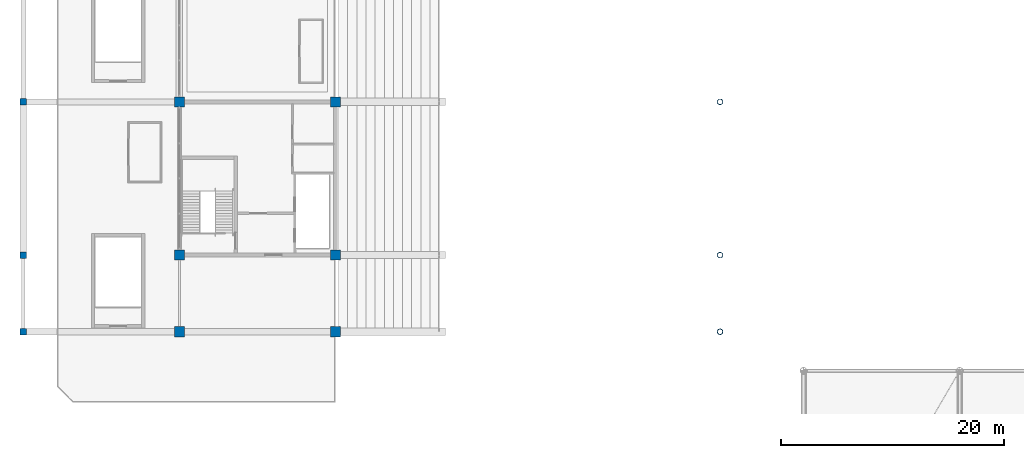
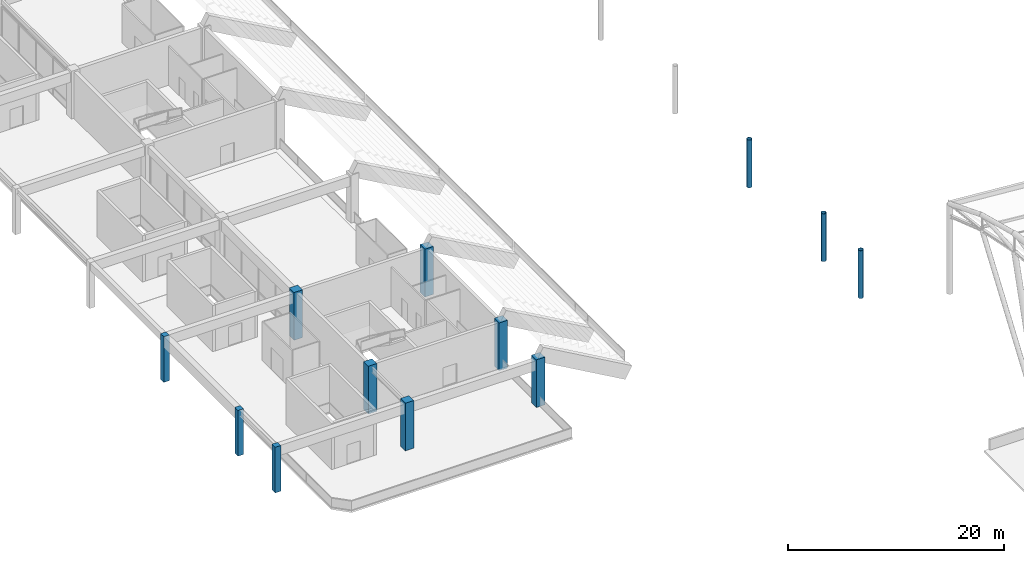
# One storey, part 1 of 90: 12 columns.
"""IFC4 building model written with IfcOpenShell, lengths in metres."""

from ifc_helpers import new_model, si_unit, direction, frame, origin, origin_2d, place, context, subcontext, project, spatial, rectangle, hollow_circle, extrude, material, material_profile, profile_set, type_object, element, save


model = new_model("IFC4")

# Units and contexts
model_context = context("Model", 3, precision=1e-05, world=origin(), true_north=direction((0.0, 1.0)))
body_context = subcontext(model_context, "Body", "Model", "MODEL_VIEW")
ifc_project = project(units=[si_unit("LENGTHUNIT", "METRE"), si_unit("AREAUNIT", "SQUARE_METRE"), si_unit("VOLUMEUNIT", "CUBIC_METRE"), si_unit("PLANEANGLEUNIT", "RADIAN"), si_unit("MASSUNIT", "GRAM", prefix="KILO")], contexts=[model_context])

# Site, building, storey
site_placement = place(None, origin())
site = spatial("IfcSite", under=ifc_project, at=site_placement, CompositionType="ELEMENT")
building_placement = place(site_placement, origin())
building = spatial("IfcBuilding", under=site, at=building_placement, Name="Linyun Crest Stadium", CompositionType="ELEMENT")
storey_placement = place(building_placement, frame((0.0, 0.0, 21.0)))
storey = spatial("IfcBuildingStorey", under=building, at=storey_placement, Name="L05", CompositionType="ELEMENT", Elevation=21.0)

# Columns
ifc_material_1 = material(Name="Concrete C50", Category="concrete")
ifc_material_profile_1 = material_profile(ifc_material_1, rectangle(XDim=0.60009765625, YDim=0.60009765625, at=origin_2d()), Name="RC 600x600")
ifc_profile_set_1 = profile_set([ifc_material_profile_1], Name="Concrete C50")
column_type_1 = type_object("IfcColumnType", Name="C01", PredefinedType="COLUMN", material=ifc_profile_set_1)
for number, where, z_axis, x_axis, name in (
    (1, (-98.0, -46.0, 0.0), (0.0, 0.0, 1.0), (1.0, 0.0, 0.0), "Column C01 L05 6"),
    (2, (-98.0, -39.125, 0.0), (0.0, 0.0, 1.0), (1.0, 0.0, 0.0), "Column C01 L05 12"),
    (3, (-98.0, -25.375, 0.0), (0.0, 0.0, 1.0), (1.0, 0.0, 0.0), "Column C01 L05 18"),
):
    element("IfcColumn", number, at=place(storey_placement, frame(where, z_axis=z_axis, x_axis=x_axis)), inside=storey, type_object=column_type_1, Name=name, PredefinedType="COLUMN", context=body_context, shape_type="SweptSolid", body=[
        extrude(rectangle(XDim=0.60009765625, YDim=0.60009765625, at=origin_2d()), origin(), (0.0, 0.0, 1.0), 5.159912109375),
    ])
ifc_material_2 = material(Name="Concrete C50", Category="concrete")
ifc_material_profile_2 = material_profile(ifc_material_2, rectangle(XDim=0.89990234375, YDim=0.89990234375, at=origin_2d()), Name="RC 900x900")
ifc_profile_set_2 = profile_set([ifc_material_profile_2], Name="Concrete C50")
column_type_2 = type_object("IfcColumnType", Name="C04", PredefinedType="COLUMN", material=ifc_profile_set_2)
for number, where, z_axis, x_axis, name in (
    (4, (-84.0, -46.0, 0.0), (0.0, 0.0, 1.0), (1.0, 0.0, 0.0), "Column C04 L05 54"),
    (5, (-84.0, -39.125, 0.0), (0.0, 0.0, 1.0), (1.0, 0.0, 0.0), "Column C04 L05 61"),
    (6, (-84.0, -25.375, 0.0), (0.0, 0.0, 1.0), (1.0, 0.0, 0.0), "Column C04 L05 68"),
    (7, (-70.0, -46.0, 0.0), (0.0, 0.0, 1.0), (1.0, 0.0, 0.0), "Column C04 L05 150"),
    (8, (-70.0, -39.125, 0.0), (0.0, 0.0, 1.0), (1.0, 0.0, 0.0), "Column C04 L05 157"),
    (9, (-70.0, -25.375, 0.0), (0.0, 0.0, 1.0), (1.0, 0.0, 0.0), "Column C04 L05 164"),
):
    element("IfcColumn", number, at=place(storey_placement, frame(where, z_axis=z_axis, x_axis=x_axis)), inside=storey, type_object=column_type_2, Name=name, PredefinedType="COLUMN", context=body_context, shape_type="SweptSolid", body=[
        extrude(rectangle(XDim=0.89990234375, YDim=0.89990234375, at=origin_2d()), origin(), (0.0, 0.0, 1.0), 5.39794921875),
    ])
ifc_material_3 = material(Name="Steel Q355C", Category="steel")
ifc_material_profile_3 = material_profile(ifc_material_3, hollow_circle(Radius=0.25390625, WallThickness=0.02490234375, at=origin_2d()), Name="CHS 508x25")
ifc_profile_set_3 = profile_set([ifc_material_profile_3], Name="Steel Q355C")
column_type_3 = type_object("IfcColumnType", Name="SC05", PredefinedType="COLUMN", material=ifc_profile_set_3)
for number, where, z_axis, x_axis, name in (
    (10, (-35.5, -46.0, 0.0), (0.0, 0.0, 1.0), (1.0, 0.0, 0.0), "Arch colonnade column SC05 L05 2"),
    (11, (-35.5, -39.125, 0.0), (0.0, 0.0, 1.0), (1.0, 0.0, 0.0), "Arch colonnade column SC05 L05 4"),
    (12, (-35.5, -25.375, 0.0), (0.0, 0.0, 1.0), (1.0, 0.0, 0.0), "Arch colonnade column SC05 L05 6"),
):
    element("IfcColumn", number, at=place(storey_placement, frame(where, z_axis=z_axis, x_axis=x_axis)), inside=storey, type_object=column_type_3, Name=name, PredefinedType="COLUMN", context=body_context, shape_type="SweptSolid", body=[
        extrude(hollow_circle(Radius=0.25390625, WallThickness=0.02490234375, at=origin_2d()), origin(), (0.0, 0.0, 1.0), 5.39990234375),
    ])

save(model, "model.ifc")
